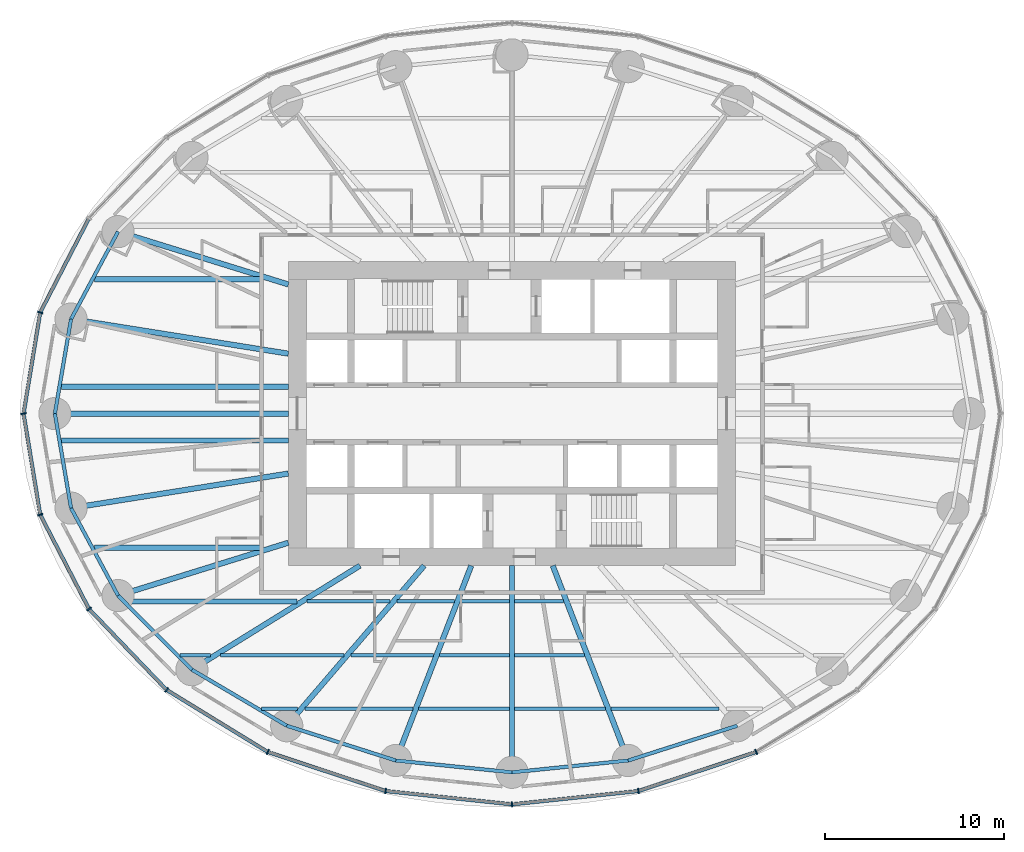
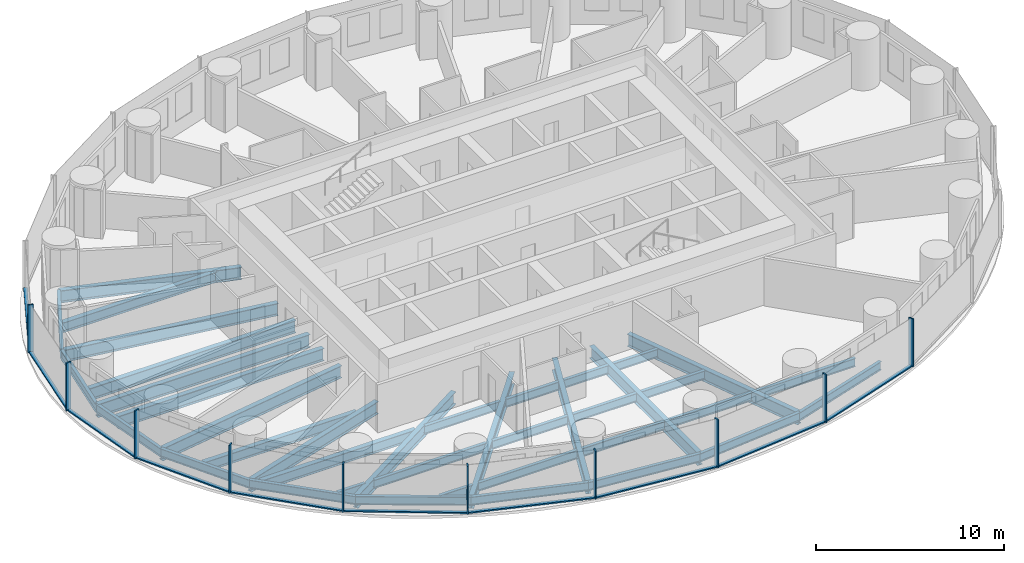
# One storey, part 2 of 13: 39 beams, 20 members, 3 elements without a shape of their own.
"""IFC4 building model written with IfcOpenShell, lengths in metres."""

from ifc_helpers import new_model, si_unit, direction, frame, origin, origin_2d, place, context, subcontext, project, spatial, rectangle, i_section, extrude, material, material_profile, profile_set, type_object, element, aggregate, save


model = new_model("IFC4")

# Units and contexts
model_context = context("Model", 3, precision=1e-05, world=origin(), true_north=direction((0.0, 1.0)))
body_context = subcontext(model_context, "Body", "Model", "MODEL_VIEW")
ifc_project = project(units=[si_unit("LENGTHUNIT", "METRE"), si_unit("AREAUNIT", "SQUARE_METRE"), si_unit("VOLUMEUNIT", "CUBIC_METRE"), si_unit("PLANEANGLEUNIT", "RADIAN"), si_unit("MASSUNIT", "GRAM", prefix="KILO")], contexts=[model_context])

# Site, building, storey
site_placement = place(None, origin())
site = spatial("IfcSite", under=ifc_project, at=site_placement, CompositionType="ELEMENT")
building_placement = place(site_placement, origin())
building = spatial("IfcBuilding", under=site, at=building_placement, Name="Hankou Lantern Tower", CompositionType="ELEMENT")
storey_placement = place(building_placement, frame((0.0, 0.0, 39.300048828125)))
storey = spatial("IfcBuildingStorey", under=building, at=storey_placement, Name="L08", CompositionType="ELEMENT", Elevation=39.300048828125)

# Beams
ifc_material_1 = material(Name="Steel Q355B", Category="steel")
ifc_material_profile_1 = material_profile(ifc_material_1, i_section(OverallWidth=0.199951171875, OverallDepth=0.550048828125, WebThickness=0.010009765625, FlangeThickness=0.01611328125, FilletRadius=0.012939453125, at=origin_2d()), Name="HN550x200x10x16")
ifc_profile_set_1 = profile_set([ifc_material_profile_1], Name="Steel Q355B")
beam_type_1 = type_object("IfcBeamType", Name="EB6 RING BEAM HN550x200x10x16", PredefinedType="SPANDREL", material=ifc_profile_set_1)
beam_1_placement = place(storey_placement, frame((-22.01904296875, 10.170166015625, -0.455078125), z_axis=(-0.473609096023, -0.880735161194, 0.0), x_axis=(0.880735161194, -0.473609096023, 0.0)))
element("IfcBeam", 1, at=beam_1_placement, inside=storey, type_object=beam_type_1, Name="Ring beam R11-R12 L08", PredefinedType="SPANDREL", context=body_context, shape_type="SweptSolid", body=[
    extrude(i_section(OverallWidth=0.199951171875, OverallDepth=0.550048828125, WebThickness=0.010009765625, FlangeThickness=0.01611328125, FilletRadius=0.012939453125, at=origin_2d()), origin(), (0.0, 0.0, 1.0), 5.548828125),
])
for number, where, z_axis, x_axis, name in (
    (2, (-24.64697265625, 5.283203125, -0.455078125), (-0.168489691988, -0.985703415685, 0.0), (0.985703415685, -0.168489691988, 0.0), "Ring beam R12-R13 L08"),
    (3, (-25.550048828125, 0.0, -0.455078125), (0.168489691988, -0.985703415685, 0.0), (0.985703415685, 0.168489691988, 0.0), "Ring beam R13-R14 L08"),
):
    element("IfcBeam", number, at=place(storey_placement, frame(where, z_axis=z_axis, x_axis=x_axis)), inside=storey, type_object=beam_type_1, Name=name, PredefinedType="SPANDREL", context=body_context, shape_type="SweptSolid", body=[
        extrude(i_section(OverallWidth=0.199951171875, OverallDepth=0.550048828125, WebThickness=0.010009765625, FlangeThickness=0.01611328125, FilletRadius=0.012939453125, at=origin_2d()), origin(), (0.0, 0.0, 1.0), 5.35986328125),
    ])
beam_2_placement = place(storey_placement, frame((-24.64697265625, -5.283203125, -0.455078125), z_axis=(0.473609096023, -0.880735161194, 0.0), x_axis=(0.880735161194, 0.473609096023, 0.0)))
element("IfcBeam", 4, at=beam_2_placement, inside=storey, type_object=beam_type_1, Name="Ring beam R14-R15 L08", PredefinedType="SPANDREL", context=body_context, shape_type="SweptSolid", body=[
    extrude(i_section(OverallWidth=0.199951171875, OverallDepth=0.550048828125, WebThickness=0.010009765625, FlangeThickness=0.01611328125, FilletRadius=0.012939453125, at=origin_2d()), origin(), (0.0, 0.0, 1.0), 5.548828125),
])
beam_3_placement = place(storey_placement, frame((-22.01904296875, -10.170166015625, -0.455078125), z_axis=(0.705727798394, -0.708483079949, 0.0), x_axis=(0.708483079949, 0.705727798394, 0.0)))
element("IfcBeam", 5, at=beam_3_placement, inside=storey, type_object=beam_type_1, Name="Ring beam R15-R16 L08", PredefinedType="SPANDREL", context=body_context, shape_type="SweptSolid", body=[
    extrude(i_section(OverallWidth=0.199951171875, OverallDepth=0.550048828125, WebThickness=0.010009765625, FlangeThickness=0.01611328125, FilletRadius=0.012939453125, at=origin_2d()), origin(), (0.0, 0.0, 1.0), 5.84814453125),
])
beam_4_placement = place(storey_placement, frame((-17.891845703125, -14.3134765625, -0.455078125), z_axis=(0.860881533543, -0.508805449268, 0.0), x_axis=(0.508805449268, 0.860881533543, 0.0)))
element("IfcBeam", 6, at=beam_4_placement, inside=storey, type_object=beam_type_1, Name="Ring beam R16-R17 L08", PredefinedType="SPANDREL", context=body_context, shape_type="SweptSolid", body=[
    extrude(i_section(OverallWidth=0.199951171875, OverallDepth=0.550048828125, WebThickness=0.010009765625, FlangeThickness=0.01611328125, FilletRadius=0.012939453125, at=origin_2d()), origin(), (0.0, 0.0, 1.0), 6.15771484375),
])
beam_5_placement = place(storey_placement, frame((-12.5908203125, -17.446533203125, -0.455078125), z_axis=(0.952690479428, -0.303942182671, 0.0), x_axis=(0.303942182671, 0.952690479428, 0.0)))
element("IfcBeam", 7, at=beam_5_placement, inside=storey, type_object=beam_type_1, Name="Ring beam R17-R18 L08", PredefinedType="SPANDREL", context=body_context, shape_type="SweptSolid", body=[
    extrude(i_section(OverallWidth=0.199951171875, OverallDepth=0.550048828125, WebThickness=0.010009765625, FlangeThickness=0.01611328125, FilletRadius=0.012939453125, at=origin_2d()), origin(), (0.0, 0.0, 1.0), 6.398681640625),
])
for number, where, z_axis, x_axis, name in (
    (8, (-6.494873046875, -19.391357421875, -0.455078125), (0.994896616842, -0.100899562915, 0.0), (0.100899562915, 0.994896616842, 0.0), "Ring beam R18-R19 L08"),
    (9, (0.0, -20.050048828125, -0.455078125), (0.994896616842, 0.100899562915, 0.0), (-0.100899562915, 0.994896616842, 0.0), "Ring beam R19-R20 L08"),
):
    element("IfcBeam", number, at=place(storey_placement, frame(where, z_axis=z_axis, x_axis=x_axis)), inside=storey, type_object=beam_type_1, Name=name, PredefinedType="SPANDREL", context=body_context, shape_type="SweptSolid", body=[
        extrude(i_section(OverallWidth=0.199951171875, OverallDepth=0.550048828125, WebThickness=0.010009765625, FlangeThickness=0.01611328125, FilletRadius=0.012939453125, at=origin_2d()), origin(), (0.0, 0.0, 1.0), 6.528076171875),
    ])
beam_6_placement = place(storey_placement, frame((6.494873046875, -19.391357421875, -0.455078125), z_axis=(0.952690479428, 0.303942182671, 0.0), x_axis=(-0.303942182671, 0.952690479428, 0.0)))
element("IfcBeam", 10, at=beam_6_placement, inside=storey, type_object=beam_type_1, Name="Ring beam R20-R21 L08", PredefinedType="SPANDREL", context=body_context, shape_type="SweptSolid", body=[
    extrude(i_section(OverallWidth=0.199951171875, OverallDepth=0.550048828125, WebThickness=0.010009765625, FlangeThickness=0.01611328125, FilletRadius=0.012939453125, at=origin_2d()), origin(), (0.0, 0.0, 1.0), 6.398681640625),
])

# Curtain wall, member
ifc_material_2 = material(Name="Glass, dark grey tinted laminated", Category="glass")
curtain_wall_type = type_object("IfcCurtainWallType", Name="CWA OUTER SKIN LOW-RISE", PredefinedType="USERDEFINED", material=ifc_material_2)
curtain_wall_1_placement = place(storey_placement, origin())
curtain_wall_1 = element("IfcCurtainWall", 11, at=curtain_wall_1_placement, inside=storey, type_object=curtain_wall_type, Name="CWA L08 OS2", ObjectType="OUTER SKIN LOW-RISE", PredefinedType="USERDEFINED")
ifc_material_3 = material(Name="Aluminium, black anodised", Category="aluminium")
ifc_material_profile_2 = material_profile(ifc_material_3, rectangle(XDim=0.080078125, YDim=0.300048828125, at=origin_2d()), Name="MU1 80X300")
ifc_profile_set_2 = profile_set([ifc_material_profile_2], Name="Aluminium, black anodised")
member_type_1 = type_object("IfcMemberType", Name="MU1 OUTER SKIN MULLION 80X300", PredefinedType="MULLION", material=ifc_profile_set_2)
member_1_placement = place(storey_placement, frame((-26.369873046875, 5.652587890625, 0.0), z_axis=(0.0, 0.0, 1.0), x_axis=(-0.317595577365, -0.94822626479, 0.0)))
member_1 = element("IfcMember", 12, at=member_1_placement, type_object=member_type_1, Name="CWA mullion 6", PredefinedType="MULLION", context=body_context, shape_type="SweptSolid", body=[
    extrude(rectangle(XDim=0.080078125, YDim=0.300048828125, at=origin_2d()), origin(), (0.0, 0.0, 1.0), 3.119873046875),
])

# Curtain wall, members
curtain_wall_2_placement = place(storey_placement, origin())
curtain_wall_2 = element("IfcCurtainWall", 13, at=curtain_wall_2_placement, inside=storey, type_object=curtain_wall_type, Name="CWA L08 OS3", ObjectType="OUTER SKIN LOW-RISE", PredefinedType="USERDEFINED")
member_2_placement = place(storey_placement, frame((-27.300048828125, 0.0, 0.0), z_axis=(0.0, 0.0, 1.0), x_axis=(0.162381515188, -0.986728049427, 0.0)))
member_2 = element("IfcMember", 14, at=member_2_placement, type_object=member_type_1, Name="CWA mullion 1", PredefinedType="MULLION", context=body_context, shape_type="SweptSolid", body=[
    extrude(rectangle(XDim=0.080078125, YDim=0.300048828125, at=origin_2d()), origin(), (0.0, 0.0, 1.0), 3.119873046875),
])
member_3_placement = place(storey_placement, frame((-26.369873046875, -5.652587890625, 0.0), z_axis=(0.0, 0.0, 1.0), x_axis=(0.317595577365, -0.94822626479, 0.0)))
member_3 = element("IfcMember", 15, at=member_3_placement, type_object=member_type_1, Name="CWA mullion 2", PredefinedType="MULLION", context=body_context, shape_type="SweptSolid", body=[
    extrude(rectangle(XDim=0.080078125, YDim=0.300048828125, at=origin_2d()), origin(), (0.0, 0.0, 1.0), 3.119873046875),
])
member_4_placement = place(storey_placement, frame((-23.642578125, -10.919921875, 0.0), z_axis=(0.0, 0.0, 1.0), x_axis=(0.585205735974, -0.810884854084, 0.0)))
member_4 = element("IfcMember", 16, at=member_4_placement, type_object=member_type_1, Name="CWA mullion 3", PredefinedType="MULLION", context=body_context, shape_type="SweptSolid", body=[
    extrude(rectangle(XDim=0.080078125, YDim=0.300048828125, at=origin_2d()), origin(), (0.0, 0.0, 1.0), 3.119873046875),
])
member_5_placement = place(storey_placement, frame((-19.303955078125, -15.443115234375, 0.0), z_axis=(0.0, 0.0, 1.0), x_axis=(0.780868809444, -0.624695047553, 0.0)))
member_5 = element("IfcMember", 17, at=member_5_placement, type_object=member_type_1, Name="CWA mullion 4", PredefinedType="MULLION", context=body_context, shape_type="SweptSolid", body=[
    extrude(rectangle(XDim=0.080078125, YDim=0.300048828125, at=origin_2d()), origin(), (0.0, 0.0, 1.0), 3.119873046875),
])
member_6_placement = place(storey_placement, frame((-13.64990234375, -18.9140625, 0.0), z_axis=(0.0, 0.0, 1.0), x_axis=(0.907841299004, -0.419313934686, 0.0)))
member_6 = element("IfcMember", 18, at=member_6_placement, type_object=member_type_1, Name="CWA mullion 5", PredefinedType="MULLION", context=body_context, shape_type="SweptSolid", body=[
    extrude(rectangle(XDim=0.080078125, YDim=0.300048828125, at=origin_2d()), origin(), (0.0, 0.0, 1.0), 3.119873046875),
])
member_7_placement = place(storey_placement, frame((-7.065673828125, -21.095703125, 0.0), z_axis=(0.0, 0.0, 1.0), x_axis=(0.977787659625, -0.209597931016, 0.0)))
member_7 = element("IfcMember", 19, at=member_7_placement, type_object=member_type_1, Name="CWA mullion 6", PredefinedType="MULLION", context=body_context, shape_type="SweptSolid", body=[
    extrude(rectangle(XDim=0.080078125, YDim=0.300048828125, at=origin_2d()), origin(), (0.0, 0.0, 1.0), 3.119873046875),
])

curtain_wall_3_placement = place(storey_placement, origin())
curtain_wall_3 = element("IfcCurtainWall", 20, at=curtain_wall_3_placement, inside=storey, type_object=curtain_wall_type, Name="CWA L08 OS4", ObjectType="OUTER SKIN LOW-RISE", PredefinedType="USERDEFINED")
member_8_placement = place(storey_placement, frame((0.0, -21.840087890625, 0.0), z_axis=(0.0, 0.0, 1.0), x_axis=(0.994499359107, 0.104742659579, 0.0)))
member_8 = element("IfcMember", 21, at=member_8_placement, type_object=member_type_1, Name="CWA mullion 1", PredefinedType="MULLION", context=body_context, shape_type="SweptSolid", body=[
    extrude(rectangle(XDim=0.080078125, YDim=0.300048828125, at=origin_2d()), origin(), (0.0, 0.0, 1.0), 3.119873046875),
])
member_9_placement = place(storey_placement, frame((7.065673828125, -21.095703125, 0.0), z_axis=(0.0, 0.0, 1.0), x_axis=(0.977787659625, 0.209597931016, 0.0)))
member_9 = element("IfcMember", 22, at=member_9_placement, type_object=member_type_1, Name="CWA mullion 2", PredefinedType="MULLION", context=body_context, shape_type="SweptSolid", body=[
    extrude(rectangle(XDim=0.080078125, YDim=0.300048828125, at=origin_2d()), origin(), (0.0, 0.0, 1.0), 3.119873046875),
])
member_10_placement = place(storey_placement, frame((13.64990234375, -18.9140625, 0.0), z_axis=(0.0, 0.0, 1.0), x_axis=(0.907841299004, 0.419313934686, 0.0)))
member_10 = element("IfcMember", 23, at=member_10_placement, type_object=member_type_1, Name="CWA mullion 3", PredefinedType="MULLION", context=body_context, shape_type="SweptSolid", body=[
    extrude(rectangle(XDim=0.080078125, YDim=0.300048828125, at=origin_2d()), origin(), (0.0, 0.0, 1.0), 3.119873046875),
])

# Beams
ifc_material_4 = material(Name="Steel Q355B", Category="steel")
ifc_material_profile_3 = material_profile(ifc_material_4, i_section(OverallWidth=0.300048828125, OverallDepth=0.800048828125, WebThickness=0.013916015625, FlangeThickness=0.02587890625, FilletRadius=0.01806640625, at=origin_2d()), Name="HN800x300x14x26")
ifc_profile_set_3 = profile_set([ifc_material_profile_3], Name="Steel Q355B")
beam_type_2 = type_object("IfcBeamType", Name="RB11 RADIAL BEAM HN800x300x14x26", PredefinedType="BEAM", material=ifc_profile_set_3)
beam_7_placement = place(storey_placement, frame((-12.5, 7.216796875, -0.580078125), z_axis=(-0.955087327755, 0.29632447817, 0.0), x_axis=(-0.29632447817, -0.955087327755, 0.0)))
element("IfcBeam", 24, at=beam_7_placement, inside=storey, type_object=beam_type_2, Name="Radial beam R11 L08", PredefinedType="BEAM", context=body_context, shape_type="SweptSolid", body=[
    extrude(i_section(OverallWidth=0.300048828125, OverallDepth=0.800048828125, WebThickness=0.013916015625, FlangeThickness=0.02587890625, FilletRadius=0.01806640625, at=origin_2d()), origin(), (0.0, 0.0, 1.0), 9.966552734375),
])
for number, where, z_axis, x_axis, name in (
    (25, (-12.5, 3.349365234375, -0.580078125), (-0.987563081343, 0.157223281893, 0.0), (-0.157223281893, -0.987563081343, 0.0), "Radial beam R12 L08"),
    (26, (-12.5, -3.349365234375, -0.580078125), (-0.987563081343, -0.157223281893, 0.0), (0.157223281893, -0.987563081343, 0.0), "Radial beam R14 L08"),
):
    element("IfcBeam", number, at=place(storey_placement, frame(where, z_axis=z_axis, x_axis=x_axis)), inside=storey, type_object=beam_type_2, Name=name, PredefinedType="BEAM", context=body_context, shape_type="SweptSolid", body=[
        extrude(i_section(OverallWidth=0.300048828125, OverallDepth=0.800048828125, WebThickness=0.013916015625, FlangeThickness=0.02587890625, FilletRadius=0.01806640625, at=origin_2d()), origin(), (0.0, 0.0, 1.0), 12.300048828125),
    ])
beam_8_placement = place(storey_placement, frame((-12.5, -7.216796875, -0.580078125), z_axis=(-0.955087327755, -0.29632447817, 0.0), x_axis=(0.29632447817, -0.955087327755, 0.0)))
element("IfcBeam", 27, at=beam_8_placement, inside=storey, type_object=beam_type_2, Name="Radial beam R15 L08", PredefinedType="BEAM", context=body_context, shape_type="SweptSolid", body=[
    extrude(i_section(OverallWidth=0.300048828125, OverallDepth=0.800048828125, WebThickness=0.013916015625, FlangeThickness=0.02587890625, FilletRadius=0.01806640625, at=origin_2d()), origin(), (0.0, 0.0, 1.0), 9.966552734375),
])
beam_9_placement = place(storey_placement, frame((-8.5, -8.5, -0.580078125), z_axis=(-0.850286343288, -0.526320372414, 0.0), x_axis=(0.526320372414, -0.850286343288, 0.0)))
element("IfcBeam", 28, at=beam_9_placement, inside=storey, type_object=beam_type_2, Name="Radial beam R16 L08", PredefinedType="BEAM", context=body_context, shape_type="SweptSolid", body=[
    extrude(i_section(OverallWidth=0.300048828125, OverallDepth=0.800048828125, WebThickness=0.013916015625, FlangeThickness=0.02587890625, FilletRadius=0.01806640625, at=origin_2d()), origin(), (0.0, 0.0, 1.0), 11.04541015625),
])
beam_10_placement = place(storey_placement, frame((-4.907470703125, -8.5, -0.580078125), z_axis=(-0.651519061225, -0.758632264579, 0.0), x_axis=(0.758632264579, -0.651519061225, 0.0)))
element("IfcBeam", 29, at=beam_10_placement, inside=storey, type_object=beam_type_2, Name="Radial beam R17 L08", PredefinedType="BEAM", context=body_context, shape_type="SweptSolid", body=[
    extrude(i_section(OverallWidth=0.300048828125, OverallDepth=0.800048828125, WebThickness=0.013916015625, FlangeThickness=0.02587890625, FilletRadius=0.01806640625, at=origin_2d()), origin(), (0.0, 0.0, 1.0), 11.79296875),
])
beam_11_placement = place(storey_placement, frame((-2.277587890625, -8.5, -0.580078125), z_axis=(-0.361089103374, -0.932531318201, 0.0), x_axis=(0.932531318201, -0.361089103374, 0.0)))
element("IfcBeam", 30, at=beam_11_placement, inside=storey, type_object=beam_type_2, Name="Radial beam R18 L08", PredefinedType="BEAM", context=body_context, shape_type="SweptSolid", body=[
    extrude(i_section(OverallWidth=0.300048828125, OverallDepth=0.800048828125, WebThickness=0.013916015625, FlangeThickness=0.02587890625, FilletRadius=0.01806640625, at=origin_2d()), origin(), (0.0, 0.0, 1.0), 11.679443359375),
])
beam_12_placement = place(storey_placement, frame((0.0, -8.5, -0.580078125), z_axis=(0.0, -1.0, 0.0), x_axis=(1.0, 0.0, 0.0)))
element("IfcBeam", 31, at=beam_12_placement, inside=storey, type_object=beam_type_2, Name="Radial beam R19 L08", PredefinedType="BEAM", context=body_context, shape_type="SweptSolid", body=[
    extrude(i_section(OverallWidth=0.300048828125, OverallDepth=0.800048828125, WebThickness=0.013916015625, FlangeThickness=0.02587890625, FilletRadius=0.01806640625, at=origin_2d()), origin(), (0.0, 0.0, 1.0), 11.550048828125),
])
beam_13_placement = place(storey_placement, frame((2.277587890625, -8.5, -0.580078125), z_axis=(0.361089103374, -0.932531318201, 0.0), x_axis=(0.932531318201, 0.361089103374, 0.0)))
element("IfcBeam", 32, at=beam_13_placement, inside=storey, type_object=beam_type_2, Name="Radial beam R20 L08", PredefinedType="BEAM", context=body_context, shape_type="SweptSolid", body=[
    extrude(i_section(OverallWidth=0.300048828125, OverallDepth=0.800048828125, WebThickness=0.013916015625, FlangeThickness=0.02587890625, FilletRadius=0.01806640625, at=origin_2d()), origin(), (0.0, 0.0, 1.0), 11.679443359375),
])
ifc_material_5 = material(Name="Steel Q355B", Category="steel")
ifc_material_profile_4 = material_profile(ifc_material_5, i_section(OverallWidth=0.300048828125, OverallDepth=0.85009765625, WebThickness=0.01611328125, FlangeThickness=0.027099609375, FilletRadius=0.01806640625, at=origin_2d()), Name="HN850x300x16x27")
ifc_profile_set_4 = profile_set([ifc_material_profile_4], Name="Steel Q355B")
beam_type_3 = type_object("IfcBeamType", Name="RB12 RADIAL BEAM HN850x300x16x27", PredefinedType="BEAM", material=ifc_profile_set_4)
beam_14_placement = place(storey_placement, frame((-12.5, 0.0, -0.60498046875), z_axis=(-1.0, 0.0, 0.0), x_axis=(0.0, -1.0, 0.0)))
element("IfcBeam", 33, at=beam_14_placement, inside=storey, type_object=beam_type_3, Name="Radial beam R13 L08", PredefinedType="BEAM", context=body_context, shape_type="SweptSolid", body=[
    extrude(i_section(OverallWidth=0.300048828125, OverallDepth=0.85009765625, WebThickness=0.01611328125, FlangeThickness=0.027099609375, FilletRadius=0.01806640625, at=origin_2d()), origin(), (0.0, 0.0, 1.0), 13.050048828125),
])
ifc_material_6 = material(Name="Steel Q355B", Category="steel")
ifc_material_profile_5 = material_profile(ifc_material_6, i_section(OverallWidth=0.300048828125, OverallDepth=0.800048828125, WebThickness=0.013916015625, FlangeThickness=0.02587890625, FilletRadius=0.01806640625, at=origin_2d()), Name="HN800x300x14x26")
ifc_profile_set_5 = profile_set([ifc_material_profile_5], Name="Steel Q355B")
beam_type_4 = type_object("IfcBeamType", Name="SB11 SECONDARY BEAM HN800x300x14x26", PredefinedType="JOIST", material=ifc_profile_set_5)
for number, where, z_axis, x_axis, name in (
    (34, (-25.192138671875, -1.5, -0.580078125), (1.0, 0.0, 0.0), (0.0, 1.0, 0.0), "Floor joist J029 L08"),
    (35, (-25.192138671875, 1.5, -0.580078125), (1.0, 0.0, 0.0), (0.0, 1.0, 0.0), "Floor joist J031 L08"),
):
    element("IfcBeam", number, at=place(storey_placement, frame(where, z_axis=z_axis, x_axis=x_axis)), inside=storey, type_object=beam_type_4, Name=name, PredefinedType="JOIST", context=body_context, shape_type="SweptSolid", body=[
        extrude(i_section(OverallWidth=0.300048828125, OverallDepth=0.800048828125, WebThickness=0.013916015625, FlangeThickness=0.02587890625, FilletRadius=0.01806640625, at=origin_2d()), origin(), (0.0, 0.0, 1.0), 12.692138671875),
    ])
ifc_material_7 = material(Name="Steel Q355B", Category="steel")
ifc_material_profile_6 = material_profile(ifc_material_7, i_section(OverallWidth=0.199951171875, OverallDepth=0.550048828125, WebThickness=0.010009765625, FlangeThickness=0.01611328125, FilletRadius=0.012939453125, at=origin_2d()), Name="HN550x200x10x16")
ifc_profile_set_6 = profile_set([ifc_material_profile_6], Name="Steel Q355B")
beam_type_5 = type_object("IfcBeamType", Name="SB6 SECONDARY BEAM HN550x200x10x16", PredefinedType="JOIST", material=ifc_profile_set_6)
beam_15_placement = place(storey_placement, frame((-13.99560546875, -16.5, -0.455078125), z_axis=(1.0, 0.0, 0.0), x_axis=(0.0, 1.0, 0.0)))
element("IfcBeam", 36, at=beam_15_placement, inside=storey, type_object=beam_type_5, Name="Floor joist J001 L08", PredefinedType="JOIST", context=body_context, shape_type="SweptSolid", body=[
    extrude(i_section(OverallWidth=0.199951171875, OverallDepth=0.550048828125, WebThickness=0.010009765625, FlangeThickness=0.01611328125, FilletRadius=0.012939453125, at=origin_2d()), origin(), (0.0, 0.0, 1.0), 2.019775390625),
])
beam_16_placement = place(storey_placement, frame((-11.580322265625, -16.5, -0.455078125), z_axis=(1.0, 0.0, 0.0), x_axis=(0.0, 1.0, 0.0)))
element("IfcBeam", 37, at=beam_16_placement, inside=storey, type_object=beam_type_5, Name="Floor joist J002 L08", PredefinedType="JOIST", context=body_context, shape_type="SweptSolid", body=[
    extrude(i_section(OverallWidth=0.199951171875, OverallDepth=0.550048828125, WebThickness=0.010009765625, FlangeThickness=0.01611328125, FilletRadius=0.012939453125, at=origin_2d()), origin(), (0.0, 0.0, 1.0), 6.044189453125),
])
for number, where, z_axis, x_axis, name in (
    (38, (-5.21435546875, -16.5, -0.455078125), (1.0, 0.0, 0.0), (0.0, 1.0, 0.0), "Floor joist J003 L08"),
    (39, (0.14990234375, -16.5, -0.455078125), (1.0, 0.0, 0.0), (0.0, 1.0, 0.0), "Floor joist J004 L08"),
):
    element("IfcBeam", number, at=place(storey_placement, frame(where, z_axis=z_axis, x_axis=x_axis)), inside=storey, type_object=beam_type_5, Name=name, PredefinedType="JOIST", context=body_context, shape_type="SweptSolid", body=[
        extrude(i_section(OverallWidth=0.199951171875, OverallDepth=0.550048828125, WebThickness=0.010009765625, FlangeThickness=0.01611328125, FilletRadius=0.012939453125, at=origin_2d()), origin(), (0.0, 0.0, 1.0), 5.064453125),
    ])
beam_17_placement = place(storey_placement, frame((5.5361328125, -16.5, -0.455078125), z_axis=(1.0, 0.0, 0.0), x_axis=(0.0, 1.0, 0.0)))
element("IfcBeam", 40, at=beam_17_placement, inside=storey, type_object=beam_type_5, Name="Floor joist J005 L08", PredefinedType="JOIST", context=body_context, shape_type="SweptSolid", body=[
    extrude(i_section(OverallWidth=0.199951171875, OverallDepth=0.550048828125, WebThickness=0.010009765625, FlangeThickness=0.01611328125, FilletRadius=0.012939453125, at=origin_2d()), origin(), (0.0, 0.0, 1.0), 6.044189453125),
])
beam_18_placement = place(storey_placement, frame((-18.560791015625, -13.5, -0.455078125), z_axis=(1.0, 0.0, 0.0), x_axis=(0.0, 1.0, 0.0)))
element("IfcBeam", 41, at=beam_18_placement, inside=storey, type_object=beam_type_5, Name="Floor joist J007 L08", PredefinedType="JOIST", context=body_context, shape_type="SweptSolid", body=[
    extrude(i_section(OverallWidth=0.199951171875, OverallDepth=0.550048828125, WebThickness=0.010009765625, FlangeThickness=0.01611328125, FilletRadius=0.012939453125, at=origin_2d()), origin(), (0.0, 0.0, 1.0), 1.697998046875),
])
beam_19_placement = place(storey_placement, frame((-16.292724609375, -13.5, -0.455078125), z_axis=(1.0, 0.0, 0.0), x_axis=(0.0, 1.0, 0.0)))
element("IfcBeam", 42, at=beam_19_placement, inside=storey, type_object=beam_type_5, Name="Floor joist J008 L08", PredefinedType="JOIST", context=body_context, shape_type="SweptSolid", body=[
    extrude(i_section(OverallWidth=0.199951171875, OverallDepth=0.550048828125, WebThickness=0.010009765625, FlangeThickness=0.01611328125, FilletRadius=0.012939453125, at=origin_2d()), origin(), (0.0, 0.0, 1.0), 6.893310546875),
])
beam_20_placement = place(storey_placement, frame((-9.00390625, -13.5, -0.455078125), z_axis=(1.0, 0.0, 0.0), x_axis=(0.0, 1.0, 0.0)))
element("IfcBeam", 43, at=beam_20_placement, inside=storey, type_object=beam_type_5, Name="Floor joist J009 L08", PredefinedType="JOIST", context=body_context, shape_type="SweptSolid", body=[
    extrude(i_section(OverallWidth=0.199951171875, OverallDepth=0.550048828125, WebThickness=0.010009765625, FlangeThickness=0.01611328125, FilletRadius=0.012939453125, at=origin_2d()), origin(), (0.0, 0.0, 1.0), 4.62939453125),
])
for number, where, z_axis, x_axis, name in (
    (44, (-4.052734375, -13.5, -0.455078125), (1.0, 0.0, 0.0), (0.0, 1.0, 0.0), "Floor joist J010 L08"),
    (45, (0.14990234375, -13.5, -0.455078125), (1.0, 0.0, 0.0), (0.0, 1.0, 0.0), "Floor joist J011 L08"),
):
    element("IfcBeam", number, at=place(storey_placement, frame(where, z_axis=z_axis, x_axis=x_axis)), inside=storey, type_object=beam_type_5, Name=name, PredefinedType="JOIST", context=body_context, shape_type="SweptSolid", body=[
        extrude(i_section(OverallWidth=0.199951171875, OverallDepth=0.550048828125, WebThickness=0.010009765625, FlangeThickness=0.01611328125, FilletRadius=0.012939453125, at=origin_2d()), origin(), (0.0, 0.0, 1.0), 3.90283203125),
    ])
beam_21_placement = place(storey_placement, frame((-11.446044921875, -10.5, -0.455078125), z_axis=(1.0, 0.0, 0.0), x_axis=(0.0, 1.0, 0.0)))
element("IfcBeam", 46, at=beam_21_placement, inside=storey, type_object=beam_type_5, Name="Floor joist J016 L08", PredefinedType="JOIST", context=body_context, shape_type="SweptSolid", body=[
    extrude(i_section(OverallWidth=0.199951171875, OverallDepth=0.550048828125, WebThickness=0.010009765625, FlangeThickness=0.01611328125, FilletRadius=0.012939453125, at=origin_2d()), origin(), (0.0, 0.0, 1.0), 4.623291015625),
])
beam_22_placement = place(storey_placement, frame((-6.427490234375, -10.5, -0.455078125), z_axis=(1.0, 0.0, 0.0), x_axis=(0.0, 1.0, 0.0)))
element("IfcBeam", 47, at=beam_22_placement, inside=storey, type_object=beam_type_5, Name="Floor joist J017 L08", PredefinedType="JOIST", context=body_context, shape_type="SweptSolid", body=[
    extrude(i_section(OverallWidth=0.199951171875, OverallDepth=0.550048828125, WebThickness=0.010009765625, FlangeThickness=0.01611328125, FilletRadius=0.012939453125, at=origin_2d()), origin(), (0.0, 0.0, 1.0), 3.214599609375),
])
for number, where, z_axis, x_axis, name in (
    (48, (-2.89111328125, -10.5, -0.455078125), (1.0, 0.0, 0.0), (0.0, 1.0, 0.0), "Floor joist J018 L08"),
    (49, (0.14990234375, -10.5, -0.455078125), (1.0, 0.0, 0.0), (0.0, 1.0, 0.0), "Floor joist J019 L08"),
):
    element("IfcBeam", number, at=place(storey_placement, frame(where, z_axis=z_axis, x_axis=x_axis)), inside=storey, type_object=beam_type_5, Name=name, PredefinedType="JOIST", context=body_context, shape_type="SweptSolid", body=[
        extrude(i_section(OverallWidth=0.199951171875, OverallDepth=0.550048828125, WebThickness=0.010009765625, FlangeThickness=0.01611328125, FilletRadius=0.012939453125, at=origin_2d()), origin(), (0.0, 0.0, 1.0), 2.7412109375),
    ])
ifc_material_8 = material(Name="Steel Q355B", Category="steel")
ifc_material_profile_7 = material_profile(ifc_material_8, i_section(OverallWidth=0.300048828125, OverallDepth=0.64990234375, WebThickness=0.010986328125, FlangeThickness=0.01708984375, FilletRadius=0.01806640625, at=origin_2d()), Name="HN650x300x11x17")
ifc_profile_set_7 = profile_set([ifc_material_profile_7], Name="Steel Q355B")
beam_type_6 = type_object("IfcBeamType", Name="SB8 SECONDARY BEAM HN650x300x11x17", PredefinedType="JOIST", material=ifc_profile_set_7)
beam_23_placement = place(storey_placement, frame((-21.54931640625, -10.5, -0.505126953125), z_axis=(1.0, 0.0, 0.0), x_axis=(0.0, 1.0, 0.0)))
element("IfcBeam", 50, at=beam_23_placement, inside=storey, type_object=beam_type_6, Name="Floor joist J015 L08", PredefinedType="JOIST", context=body_context, shape_type="SweptSolid", body=[
    extrude(i_section(OverallWidth=0.300048828125, OverallDepth=0.64990234375, WebThickness=0.010986328125, FlangeThickness=0.01708984375, FilletRadius=0.01806640625, at=origin_2d()), origin(), (0.0, 0.0, 1.0), 9.533203125),
])
for number, where, z_axis, x_axis, name in (
    (51, (-23.341552734375, -7.5, -0.505126953125), (1.0, 0.0, 0.0), (0.0, 1.0, 0.0), "Floor joist J023 L08"),
    (52, (-23.341552734375, 7.5, -0.505126953125), (1.0, 0.0, 0.0), (0.0, 1.0, 0.0), "Floor joist J037 L08"),
):
    element("IfcBeam", number, at=place(storey_placement, frame(where, z_axis=z_axis, x_axis=x_axis)), inside=storey, type_object=beam_type_6, Name=name, PredefinedType="JOIST", context=body_context, shape_type="SweptSolid", body=[
        extrude(i_section(OverallWidth=0.300048828125, OverallDepth=0.64990234375, WebThickness=0.010986328125, FlangeThickness=0.01708984375, FilletRadius=0.01806640625, at=origin_2d()), origin(), (0.0, 0.0, 1.0), 9.4228515625),
    ])

# Member
ifc_material_9 = material(Name="Aluminium, black anodised", Category="aluminium")
ifc_material_profile_8 = material_profile(ifc_material_9, rectangle(XDim=0.199951171875, YDim=0.080078125, at=origin_2d()), Name="TR1 200X80")
ifc_profile_set_8 = profile_set([ifc_material_profile_8], Name="Aluminium, black anodised")
member_type_2 = type_object("IfcMemberType", Name="TR1 OUTER SKIN TRANSOM 200X80", PredefinedType="USERDEFINED", material=ifc_profile_set_8)
member_11_placement = place(storey_placement, frame((-23.660888671875, 10.884521484375, 0.0400390625), z_axis=(-0.459786096495, -0.888029698529, 0.0), x_axis=(0.888029698529, -0.459786096495, 0.0)))
member_11 = element("IfcMember", 53, at=member_11_placement, type_object=member_type_2, Name="CWA transom 5", ObjectType="TRANSOM", PredefinedType="USERDEFINED", context=body_context, shape_type="SweptSolid", body=[
    extrude(rectangle(XDim=0.199951171875, YDim=0.080078125, at=origin_2d()), origin(), (0.0, 0.0, 1.0), 5.8515625),
])

member_12_placement = place(storey_placement, frame((-26.376220703125, 5.613037109375, 0.0400390625), z_axis=(-0.162387045529, -0.986727139307, 0.0), x_axis=(0.986727139307, -0.162387045529, 0.0)))
member_12 = element("IfcMember", 54, at=member_12_placement, type_object=member_type_2, Name="CWA transom 6", ObjectType="TRANSOM", PredefinedType="USERDEFINED", context=body_context, shape_type="SweptSolid", body=[
    extrude(rectangle(XDim=0.199951171875, YDim=0.080078125, at=origin_2d()), origin(), (0.0, 0.0, 1.0), 5.6484375),
])

aggregate(curtain_wall_1, [member_1, member_11, member_12])

member_13_placement = place(storey_placement, frame((-27.29345703125, -0.03955078125, 0.0400390625), z_axis=(0.162387045529, -0.986727139307, 0.0), x_axis=(0.986727139307, 0.162387045529, 0.0)))
member_13 = element("IfcMember", 55, at=member_13_placement, type_object=member_type_2, Name="CWA transom 1", ObjectType="TRANSOM", PredefinedType="USERDEFINED", context=body_context, shape_type="SweptSolid", body=[
    extrude(rectangle(XDim=0.199951171875, YDim=0.080078125, at=origin_2d()), origin(), (0.0, 0.0, 1.0), 5.6484375),
])

member_14_placement = place(storey_placement, frame((-26.351318359375, -5.688232421875, 0.0400390625), z_axis=(0.459786096495, -0.888029698529, 0.0), x_axis=(0.888029698529, 0.459786096495, 0.0)))
member_14 = element("IfcMember", 56, at=member_14_placement, type_object=member_type_2, Name="CWA transom 2", ObjectType="TRANSOM", PredefinedType="USERDEFINED", context=body_context, shape_type="SweptSolid", body=[
    extrude(rectangle(XDim=0.199951171875, YDim=0.080078125, at=origin_2d()), origin(), (0.0, 0.0, 1.0), 5.8515625),
])

member_15_placement = place(storey_placement, frame((-23.61474609375, -10.948974609375, 0.0400390625), z_axis=(0.692215537374, -0.721690827029, 0.0), x_axis=(0.721690827029, 0.692215537374, 0.0)))
member_15 = element("IfcMember", 57, at=member_15_placement, type_object=member_type_2, Name="CWA transom 3", ObjectType="TRANSOM", PredefinedType="USERDEFINED", context=body_context, shape_type="SweptSolid", body=[
    extrude(rectangle(XDim=0.199951171875, YDim=0.080078125, at=origin_2d()), origin(), (0.0, 0.0, 1.0), 6.187255859375),
])

member_16_placement = place(storey_placement, frame((-19.27001953125, -15.464111328125, 0.0400390625), z_axis=(0.85223969557, -0.523151508929, 0.0), x_axis=(0.523151508929, 0.85223969557, 0.0)))
member_16 = element("IfcMember", 58, at=member_16_placement, type_object=member_type_2, Name="CWA transom 4", ObjectType="TRANSOM", PredefinedType="USERDEFINED", context=body_context, shape_type="SweptSolid", body=[
    extrude(rectangle(XDim=0.199951171875, YDim=0.080078125, at=origin_2d()), origin(), (0.0, 0.0, 1.0), 6.554443359375),
])

member_17_placement = place(storey_placement, frame((-13.612060546875, -18.926513671875, 0.0400390625), z_axis=(0.949237318771, -0.314560825044, 0.0), x_axis=(0.314560825044, 0.949237318771, 0.0)))
member_17 = element("IfcMember", 59, at=member_17_placement, type_object=member_type_2, Name="CWA transom 5", ObjectType="TRANSOM", PredefinedType="USERDEFINED", context=body_context, shape_type="SweptSolid", body=[
    extrude(rectangle(XDim=0.199951171875, YDim=0.080078125, at=origin_2d()), origin(), (0.0, 0.0, 1.0), 6.8564453125),
])

member_18_placement = place(storey_placement, frame((-7.02587890625, -21.10009765625, 0.0400390625), z_axis=(0.994502215033, -0.104715539888, 0.0), x_axis=(0.104715539888, 0.994502215033, 0.0)))
member_18 = element("IfcMember", 60, at=member_18_placement, type_object=member_type_2, Name="CWA transom 6", ObjectType="TRANSOM", PredefinedType="USERDEFINED", context=body_context, shape_type="SweptSolid", body=[
    extrude(rectangle(XDim=0.199951171875, YDim=0.080078125, at=origin_2d()), origin(), (0.0, 0.0, 1.0), 7.024658203125),
])

aggregate(curtain_wall_2, [member_2, member_3, member_4, member_5, member_6, member_7, member_13, member_14, member_15, member_16, member_17, member_18])

member_19_placement = place(storey_placement, frame((0.039794921875, -21.835693359375, 0.0400390625), z_axis=(0.994502215033, 0.104715539888, 0.0), x_axis=(-0.104715539888, 0.994502215033, 0.0)))
member_19 = element("IfcMember", 61, at=member_19_placement, type_object=member_type_2, Name="CWA transom 1", ObjectType="TRANSOM", PredefinedType="USERDEFINED", context=body_context, shape_type="SweptSolid", body=[
    extrude(rectangle(XDim=0.199951171875, YDim=0.080078125, at=origin_2d()), origin(), (0.0, 0.0, 1.0), 7.024658203125),
])

member_20_placement = place(storey_placement, frame((7.103759765625, -21.083251953125, 0.0400390625), z_axis=(0.949237318771, 0.314560825044, 0.0), x_axis=(-0.314560825044, 0.949237318771, 0.0)))
member_20 = element("IfcMember", 62, at=member_20_placement, type_object=member_type_2, Name="CWA transom 2", ObjectType="TRANSOM", PredefinedType="USERDEFINED", context=body_context, shape_type="SweptSolid", body=[
    extrude(rectangle(XDim=0.199951171875, YDim=0.080078125, at=origin_2d()), origin(), (0.0, 0.0, 1.0), 6.8564453125),
])

aggregate(curtain_wall_3, [member_8, member_9, member_10, member_19, member_20])

save(model, "model.ifc")
